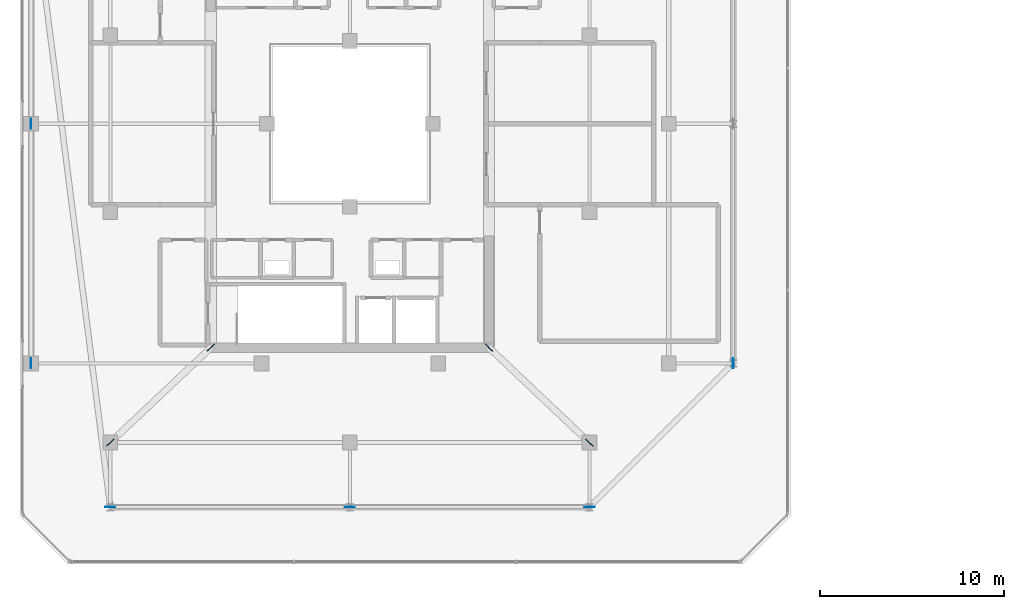
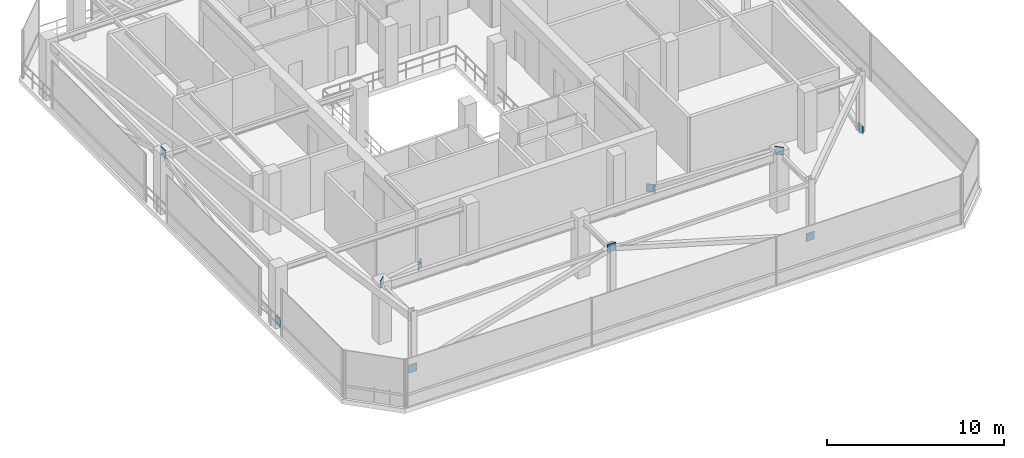
# One storey, part 36 of 47: 10 plates.
"""IFC4 building model written with IfcOpenShell, lengths in metres."""

from ifc_helpers import new_model, si_unit, direction, frame, origin, origin_2d, place, context, subcontext, project, spatial, rectangle, extrude, material, layer, layer_set, type_object, element, save


model = new_model("IFC4")

# Units and contexts
model_context = context("Model", 3, precision=1e-05, world=origin(), true_north=direction((0.0, 1.0)))
body_context = subcontext(model_context, "Body", "Model", "MODEL_VIEW")
ifc_project = project(units=[si_unit("LENGTHUNIT", "METRE"), si_unit("AREAUNIT", "SQUARE_METRE"), si_unit("VOLUMEUNIT", "CUBIC_METRE"), si_unit("PLANEANGLEUNIT", "RADIAN"), si_unit("MASSUNIT", "GRAM", prefix="KILO")], contexts=[model_context])

# Site, building, storey
site_placement = place(None, origin())
site = spatial("IfcSite", under=ifc_project, at=site_placement, CompositionType="ELEMENT")
building_placement = place(site_placement, origin())
building = spatial("IfcBuilding", under=site, at=building_placement, Name="Thornwick Lancets Civic Towers", CompositionType="ELEMENT")
storey_placement = place(building_placement, frame((0.0, 0.0, 279.89990234375)))
storey = spatial("IfcBuildingStorey", under=building, at=storey_placement, Name="C01", CompositionType="ELEMENT", Elevation=279.89990234375)

# Plates
ifc_material = material(Name="Steel S460M", Category="steel")
ifc_layer = layer(ifc_material, 0.0400390625, Name="Steel S460M")
ifc_layer_set = layer_set([ifc_layer], Name="Steel S460M")
plate_type = type_object("IfcPlateType", Name="PLT_GUSSET_40", PredefinedType="USERDEFINED", material=ifc_layer_set)
for number, where, z_axis, x_axis, name in (
    (1, (12.5, 6.199951171875, -0.125), (0.0, 0.0, 1.0), (1.0, 0.0, 0.0), "C01 Brace Connection Gusset Plate 0421"),
    (2, (25.5, 6.199951171875, 3.6650390625), (0.0, 0.0, 1.0), (1.0, 0.0, 0.0), "C01 Brace Connection Gusset Plate 0422"),
    (3, (38.5, 6.199951171875, -0.125), (0.0, 0.0, 1.0), (-1.0, 0.0, 0.0), "C01 Brace Connection Gusset Plate 0423"),
    (4, (46.300048828125, 14.0, -0.125), (0.0, 0.0, 1.0), (0.0, 1.0, 0.0), "C01 Brace Connection Gusset Plate 0424"),
    (5, (8.199951171875, 14.0, -0.125), (0.0, 0.0, 1.0), (0.0, 1.0, 0.0), "C01 Brace Connection Gusset Plate 0430"),
    (6, (8.199951171875, 27.0, 3.6650390625), (0.0, 0.0, 1.0), (0.0, 1.0, 0.0), "C01 Brace Connection Gusset Plate 0431"),
    (7, (33.050048828125, 14.85009765625, -0.125), (0.0, 0.0, 1.0), (0.726814465487, -0.686833846544, 0.0), "C01 Brace Connection Gusset Plate 0433"),
    (8, (38.5, 9.699951171875, 3.6650390625), (0.0, 0.0, 1.0), (0.726814465487, -0.686833846544, 0.0), "C01 Brace Connection Gusset Plate 0434"),
    (9, (17.949951171875, 14.85009765625, -0.125), (0.0, 0.0, 1.0), (-0.726814465487, -0.686833846544, 0.0), "C01 Brace Connection Gusset Plate 0435"),
    (10, (12.5, 9.699951171875, 3.6650390625), (0.0, 0.0, 1.0), (-0.726814465487, -0.686833846544, 0.0), "C01 Brace Connection Gusset Plate 0436"),
):
    element("IfcPlate", number, at=place(storey_placement, frame(where, z_axis=z_axis, x_axis=x_axis)), inside=storey, type_object=plate_type, Name=name, ObjectType="GUSSET_PLATE", PredefinedType="USERDEFINED", context=body_context, shape_type="SweptSolid", body=[
        extrude(rectangle(XDim=0.550048828125, YDim=0.0400390625, at=origin_2d()), origin(), (0.0, 0.0, 1.0), 0.550048828125),
    ])

save(model, "model.ifc")
